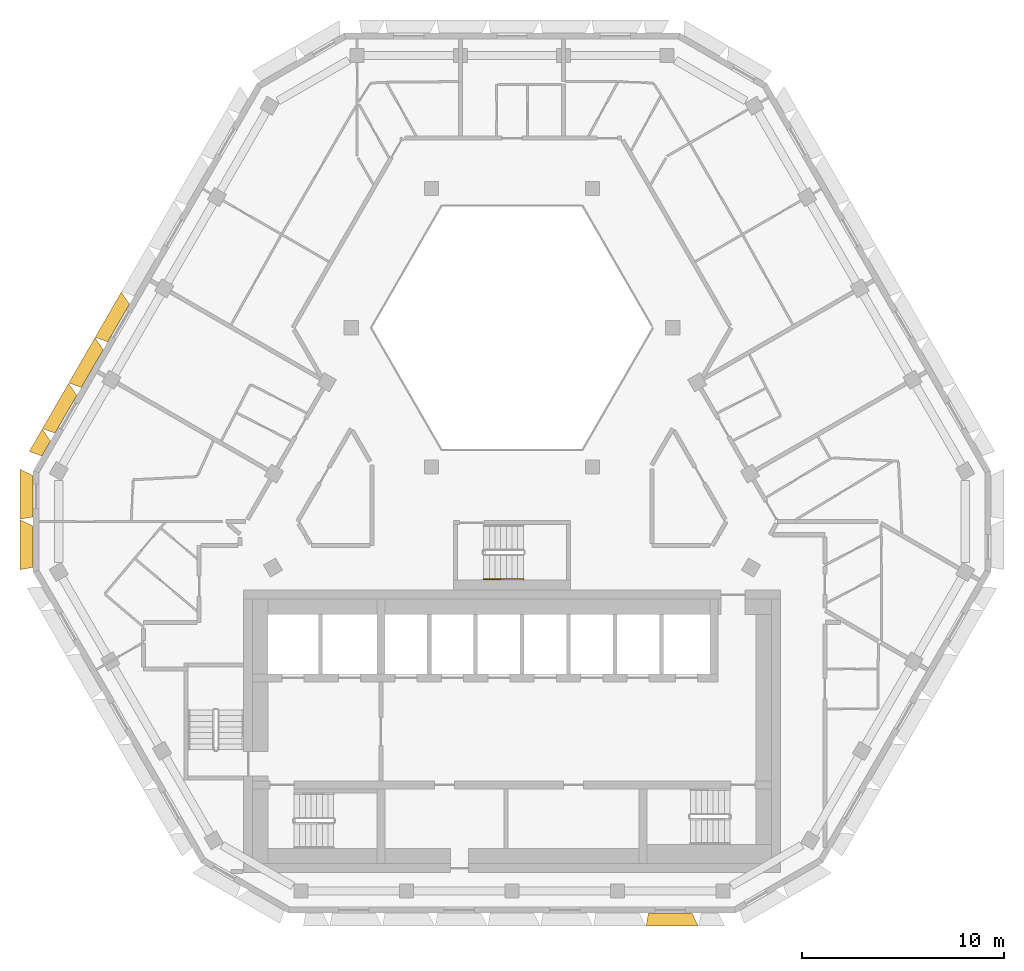
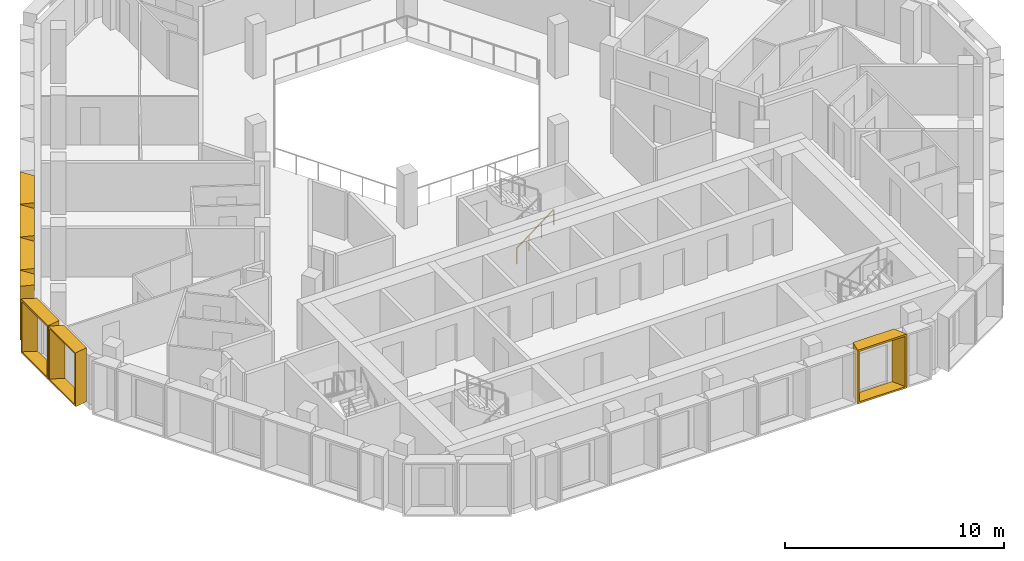
# One storey, part 12 of 15: 7 shading devices, 1 railing.
"""IFC4 building model written with IfcOpenShell, lengths in metres."""

from ifc_helpers import new_model, entity, si_unit, direction, frame, origin, origin_2d, place, context, subcontext, project, spatial, rectangle, extrude, source, transform, mapped, material, type_object, type_shapes, element, save


model = new_model("IFC4")

# Units and contexts
model_context = context("Model", 3, precision=1e-05, world=origin(), true_north=direction((0.0, 1.0)))
body_context = subcontext(model_context, "Body", "Model", "MODEL_VIEW")
ifc_project = project(units=[si_unit("LENGTHUNIT", "METRE"), si_unit("AREAUNIT", "SQUARE_METRE"), si_unit("VOLUMEUNIT", "CUBIC_METRE"), si_unit("PLANEANGLEUNIT", "RADIAN"), si_unit("MASSUNIT", "GRAM", prefix="KILO")], contexts=[model_context])

# Site, building, storey
site_placement = place(None, origin())
site = spatial("IfcSite", under=ifc_project, at=site_placement, CompositionType="ELEMENT")
building_placement = place(site_placement, origin())
building = spatial("IfcBuilding", under=site, at=building_placement, Name="Beryl Residences", CompositionType="ELEMENT")
storey_placement = place(building_placement, frame((0.0, 0.0, 211.800048828125)))
storey = spatial("IfcBuildingStorey", under=building, at=storey_placement, Name="L65", CompositionType="ELEMENT", Elevation=211.800048828125)

# Shading devices
ifc_material_1 = material(Name="Aluminium pale anodised", Category="aluminium")
shading_device_type_1 = type_object("IfcShadingDeviceType", Name="FR131-65B OUTER SKIN frame 650 mm deep, splay 26/10 deg, 1310 x 3000 mm cell", PredefinedType="USERDEFINED", material=ifc_material_1)
cartesian_point_1 = entity("IfcCartesianPoint", [-0.428955078125, 0.0])
cartesian_point_2 = entity("IfcCartesianPoint", [-0.340087890625, 0.10009765625])
cartesian_point_3 = entity("IfcCartesianPoint", [-0.74609375, 0.0])
cartesian_point_4 = entity("IfcCartesianPoint", [-0.656982421875, 0.10009765625])
shared_shape_1 = source(origin(), body_context, "Body", "SweptSolid", [
    entity("IfcExtrudedAreaSolidTapered", entity("IfcArbitraryProfileDefWithVoids", "AREA", None, entity("IfcPolyline", [cartesian_point_1, entity("IfcCartesianPoint", [0.428955078125, 0.0]), entity("IfcCartesianPoint", [0.428955078125, 3.0]), entity("IfcCartesianPoint", [-0.428955078125, 3.0]), cartesian_point_1]), [entity("IfcPolyline", [cartesian_point_2, entity("IfcCartesianPoint", [0.34765625, 0.10009765625]), entity("IfcCartesianPoint", [0.34765625, 2.89990234375]), entity("IfcCartesianPoint", [-0.340087890625, 2.89990234375]), cartesian_point_2])]), entity("IfcAxis2Placement3D", entity("IfcCartesianPoint", [0.0, 0.0, 0.0]), entity("IfcDirection", [0.0, 1.0, 0.0]), entity("IfcDirection", [-1.0, 0.0, 0.0])), entity("IfcDirection", [0.0, 0.0, 1.0]), 0.64990234375, entity("IfcArbitraryProfileDefWithVoids", "AREA", None, entity("IfcPolyline", [cartesian_point_3, entity("IfcCartesianPoint", [0.543701171875, 0.0]), entity("IfcCartesianPoint", [0.543701171875, 3.0]), entity("IfcCartesianPoint", [-0.74609375, 3.0]), cartesian_point_3]), [entity("IfcPolyline", [cartesian_point_4, entity("IfcCartesianPoint", [0.46240234375, 0.10009765625]), entity("IfcCartesianPoint", [0.46240234375, 2.89990234375]), entity("IfcCartesianPoint", [-0.656982421875, 2.89990234375]), cartesian_point_4])])),
])
type_shapes(shading_device_type_1, [shared_shape_1])
shading_device_1_placement = place(storey_placement, frame((-23.083984375, 2.01611328125, 0.0), z_axis=(0.0, 0.0, 1.0), x_axis=(0.5, 0.866025403784, 0.0)))
element("IfcShadingDevice", 1, at=shading_device_1_placement, inside=storey, type_object=shading_device_type_1, Name="FR131-65B frame L65 NW 9", ObjectType="OUTER SKIN", PredefinedType="USERDEFINED", context=body_context, shape_type="MappedRepresentation", body=[
    mapped(shared_shape_1, transform((0.0, 0.0, 0.0))),
])
ifc_material_2 = material(Name="Aluminium pale anodised", Category="aluminium")
shading_device_type_2 = type_object("IfcShadingDeviceType", Name="FR250-65B OUTER SKIN frame 650 mm deep, splay 26/10 deg, 2500 x 3000 mm cell", PredefinedType="USERDEFINED", material=ifc_material_2)
cartesian_point_5 = entity("IfcCartesianPoint", [-1.02392578125, 0.0])
cartesian_point_6 = entity("IfcCartesianPoint", [-0.93505859375, 0.10009765625])
cartesian_point_7 = entity("IfcCartesianPoint", [-1.341064453125, 0.0])
cartesian_point_8 = entity("IfcCartesianPoint", [-1.251953125, 0.10009765625])
shared_shape_2 = source(origin(), body_context, "Body", "SweptSolid", [
    entity("IfcExtrudedAreaSolidTapered", entity("IfcArbitraryProfileDefWithVoids", "AREA", None, entity("IfcPolyline", [cartesian_point_5, entity("IfcCartesianPoint", [1.02392578125, 0.0]), entity("IfcCartesianPoint", [1.02392578125, 3.0]), entity("IfcCartesianPoint", [-1.02392578125, 3.0]), cartesian_point_5]), [entity("IfcPolyline", [cartesian_point_6, entity("IfcCartesianPoint", [0.94287109375, 0.10009765625]), entity("IfcCartesianPoint", [0.94287109375, 2.89990234375]), entity("IfcCartesianPoint", [-0.93505859375, 2.89990234375]), cartesian_point_6])]), entity("IfcAxis2Placement3D", entity("IfcCartesianPoint", [0.0, 0.0, 0.0]), entity("IfcDirection", [0.0, 1.0, 0.0]), entity("IfcDirection", [-1.0, 0.0, 0.0])), entity("IfcDirection", [0.0, 0.0, 1.0]), 0.64990234375, entity("IfcArbitraryProfileDefWithVoids", "AREA", None, entity("IfcPolyline", [cartesian_point_7, entity("IfcCartesianPoint", [1.138671875, 0.0]), entity("IfcCartesianPoint", [1.138671875, 3.0]), entity("IfcCartesianPoint", [-1.341064453125, 3.0]), cartesian_point_7]), [entity("IfcPolyline", [cartesian_point_8, entity("IfcCartesianPoint", [1.057373046875, 0.10009765625]), entity("IfcCartesianPoint", [1.057373046875, 2.89990234375]), entity("IfcCartesianPoint", [-1.251953125, 2.89990234375]), cartesian_point_8])])),
])
type_shapes(shading_device_type_2, [shared_shape_2])
for number, where, z_axis, x_axis, name in (
    (2, (-23.72900390625, -0.35009765625, 0.0), (0.0, 0.0, 1.0), (0.0, 1.0, 0.0), "FR250-65B frame L65 NW-SW 1"),
    (3, (-23.72900390625, -2.85009765625, 0.0), (0.0, 0.0, 1.0), (0.0, 1.0, 0.0), "FR250-65B frame L65 NW-SW 2"),
):
    element("IfcShadingDevice", number, at=place(storey_placement, frame(where, z_axis=z_axis, x_axis=x_axis)), inside=storey, type_object=shading_device_type_2, Name=name, ObjectType="OUTER SKIN", PredefinedType="USERDEFINED", context=body_context, shape_type="MappedRepresentation", body=[
        mapped(shared_shape_2, transform((0.0, 0.0, 0.0))),
    ])
ifc_material_3 = material(Name="Aluminium pale anodised", Category="aluminium")
shading_device_type_3 = type_object("IfcShadingDeviceType", Name="FR261-65B OUTER SKIN frame 650 mm deep, splay 26/10 deg, 2610 x 3000 mm cell", PredefinedType="USERDEFINED", material=ifc_material_3)
cartesian_point_9 = entity("IfcCartesianPoint", [-1.0791015625, 0.0])
cartesian_point_10 = entity("IfcCartesianPoint", [-0.989990234375, 0.10009765625])
cartesian_point_11 = entity("IfcCartesianPoint", [-1.39599609375, 0.0])
cartesian_point_12 = entity("IfcCartesianPoint", [-1.30712890625, 0.10009765625])
shared_shape_3 = source(origin(), body_context, "Body", "SweptSolid", [
    entity("IfcExtrudedAreaSolidTapered", entity("IfcArbitraryProfileDefWithVoids", "AREA", None, entity("IfcPolyline", [cartesian_point_9, entity("IfcCartesianPoint", [1.0791015625, 0.0]), entity("IfcCartesianPoint", [1.0791015625, 3.0]), entity("IfcCartesianPoint", [-1.0791015625, 3.0]), cartesian_point_9]), [entity("IfcPolyline", [cartesian_point_10, entity("IfcCartesianPoint", [0.997802734375, 0.10009765625]), entity("IfcCartesianPoint", [0.997802734375, 2.89990234375]), entity("IfcCartesianPoint", [-0.989990234375, 2.89990234375]), cartesian_point_10])]), entity("IfcAxis2Placement3D", entity("IfcCartesianPoint", [0.0, 0.0, 0.0]), entity("IfcDirection", [0.0, 1.0, 0.0]), entity("IfcDirection", [-1.0, 0.0, 0.0])), entity("IfcDirection", [0.0, 0.0, 1.0]), 0.64990234375, entity("IfcArbitraryProfileDefWithVoids", "AREA", None, entity("IfcPolyline", [cartesian_point_11, entity("IfcCartesianPoint", [1.193603515625, 0.0]), entity("IfcCartesianPoint", [1.193603515625, 3.0]), entity("IfcCartesianPoint", [-1.39599609375, 3.0]), cartesian_point_11]), [entity("IfcPolyline", [cartesian_point_12, entity("IfcCartesianPoint", [1.1123046875, 0.10009765625]), entity("IfcCartesianPoint", [1.1123046875, 2.89990234375]), entity("IfcCartesianPoint", [-1.30712890625, 2.89990234375]), cartesian_point_12])])),
])
type_shapes(shading_device_type_3, [shared_shape_3])
for number, where, z_axis, x_axis, name in (
    (4, (-19.491943359375, 8.237060546875, 0.0), (0.0, 0.0, 1.0), (0.5, 0.866025403784, 0.0), "FR261-65B frame L65 NW 6"),
    (5, (-20.798095703125, 5.97509765625, 0.0), (0.0, 0.0, 1.0), (0.5, 0.866025403784, 0.0), "FR261-65B frame L65 NW 7"),
    (6, (-22.10498046875, 3.7119140625, 0.0), (0.0, 0.0, 1.0), (0.5, 0.866025403784, 0.0), "FR261-65B frame L65 NW 8"),
):
    element("IfcShadingDevice", number, at=place(storey_placement, frame(where, z_axis=z_axis, x_axis=x_axis)), inside=storey, type_object=shading_device_type_3, Name=name, ObjectType="OUTER SKIN", PredefinedType="USERDEFINED", context=body_context, shape_type="MappedRepresentation", body=[
        mapped(shared_shape_3, transform((0.0, 0.0, 0.0))),
    ])
ifc_material_4 = material(Name="Aluminium pale anodised", Category="aluminium")
shading_device_type_4 = type_object("IfcShadingDeviceType", Name="FR261-65C OUTER SKIN frame 650 mm deep, splay 10/26 deg, 2610 x 3000 mm cell", PredefinedType="USERDEFINED", material=ifc_material_4)
cartesian_point_13 = entity("IfcCartesianPoint", [-1.0791015625, 0.0])
cartesian_point_14 = entity("IfcCartesianPoint", [-0.997802734375, 0.10009765625])
cartesian_point_15 = entity("IfcCartesianPoint", [-1.193603515625, 0.0])
cartesian_point_16 = entity("IfcCartesianPoint", [-1.1123046875, 0.10009765625])
shared_shape_4 = source(origin(), body_context, "Body", "SweptSolid", [
    entity("IfcExtrudedAreaSolidTapered", entity("IfcArbitraryProfileDefWithVoids", "AREA", None, entity("IfcPolyline", [cartesian_point_13, entity("IfcCartesianPoint", [1.0791015625, 0.0]), entity("IfcCartesianPoint", [1.0791015625, 3.0]), entity("IfcCartesianPoint", [-1.0791015625, 3.0]), cartesian_point_13]), [entity("IfcPolyline", [cartesian_point_14, entity("IfcCartesianPoint", [0.989990234375, 0.10009765625]), entity("IfcCartesianPoint", [0.989990234375, 2.89990234375]), entity("IfcCartesianPoint", [-0.997802734375, 2.89990234375]), cartesian_point_14])]), entity("IfcAxis2Placement3D", entity("IfcCartesianPoint", [0.0, 0.0, 0.0]), entity("IfcDirection", [0.0, 1.0, 0.0]), entity("IfcDirection", [-1.0, 0.0, 0.0])), entity("IfcDirection", [0.0, 0.0, 1.0]), 0.64990234375, entity("IfcArbitraryProfileDefWithVoids", "AREA", None, entity("IfcPolyline", [cartesian_point_15, entity("IfcCartesianPoint", [1.39599609375, 0.0]), entity("IfcCartesianPoint", [1.39599609375, 3.0]), entity("IfcCartesianPoint", [-1.193603515625, 3.0]), cartesian_point_15]), [entity("IfcPolyline", [cartesian_point_16, entity("IfcCartesianPoint", [1.30712890625, 0.10009765625]), entity("IfcCartesianPoint", [1.30712890625, 2.89990234375]), entity("IfcCartesianPoint", [-1.1123046875, 2.89990234375]), cartesian_point_16])])),
])
type_shapes(shading_device_type_4, [shared_shape_4])
shading_device_2_placement = place(storey_placement, frame((7.8369140625, -21.0, 0.0), z_axis=(0.0, 0.0, 1.0), x_axis=(-1.0, 0.0, 0.0)))
element("IfcShadingDevice", 7, at=shading_device_2_placement, inside=storey, type_object=shading_device_type_4, Name="FR261-65C frame L65 S 8", ObjectType="OUTER SKIN", PredefinedType="USERDEFINED", context=body_context, shape_type="MappedRepresentation", body=[
    mapped(shared_shape_4, transform((0.0, 0.0, 0.0))),
])

# Railing
ifc_material_5 = material(Name="Stainless steel handrail", Category="steel")
railing_type = type_object("IfcRailingType", Name="SRL1 stair handrail 900 mm", PredefinedType="HANDRAIL", material=ifc_material_5)
railing_placement = place(storey_placement, frame((-1.39990234375, -4.449951171875, 0.1875)))
element("IfcRailing", 8, at=railing_placement, inside=storey, type_object=railing_type, Name="L65 ST-4 stair handrail 1", PredefinedType="HANDRAIL", context=body_context, shape_type="SweptSolid", body=[
    extrude(rectangle(XDim=0.048095703125, YDim=0.048095703125, at=origin_2d()), frame((0.0, 0.0, 0.8759765625), z_axis=(0.794121922505, 0.0, 0.607758481798), x_axis=(0.0, 1.0, 0.0)), (0.0, 0.0, 1.0), 2.468017578125),
    extrude(rectangle(XDim=0.0419921875, YDim=0.0419921875, at=origin_2d()), origin(), (0.0, 0.0, 1.0), 0.851806640625),
    extrude(rectangle(XDim=0.0419921875, YDim=0.0419921875, at=origin_2d()), frame((0.6533203125, 0.0, 0.5)), (0.0, 0.0, 1.0), 0.851806640625),
    extrude(rectangle(XDim=0.0419921875, YDim=0.0419921875, at=origin_2d()), frame((1.306640625, 0.0, 1.0)), (0.0, 0.0, 1.0), 0.851806640625),
    extrude(rectangle(XDim=0.0419921875, YDim=0.0419921875, at=origin_2d()), frame((1.9599609375, 0.0, 1.5)), (0.0, 0.0, 1.0), 0.851806640625),
])

save(model, "model.ifc")
